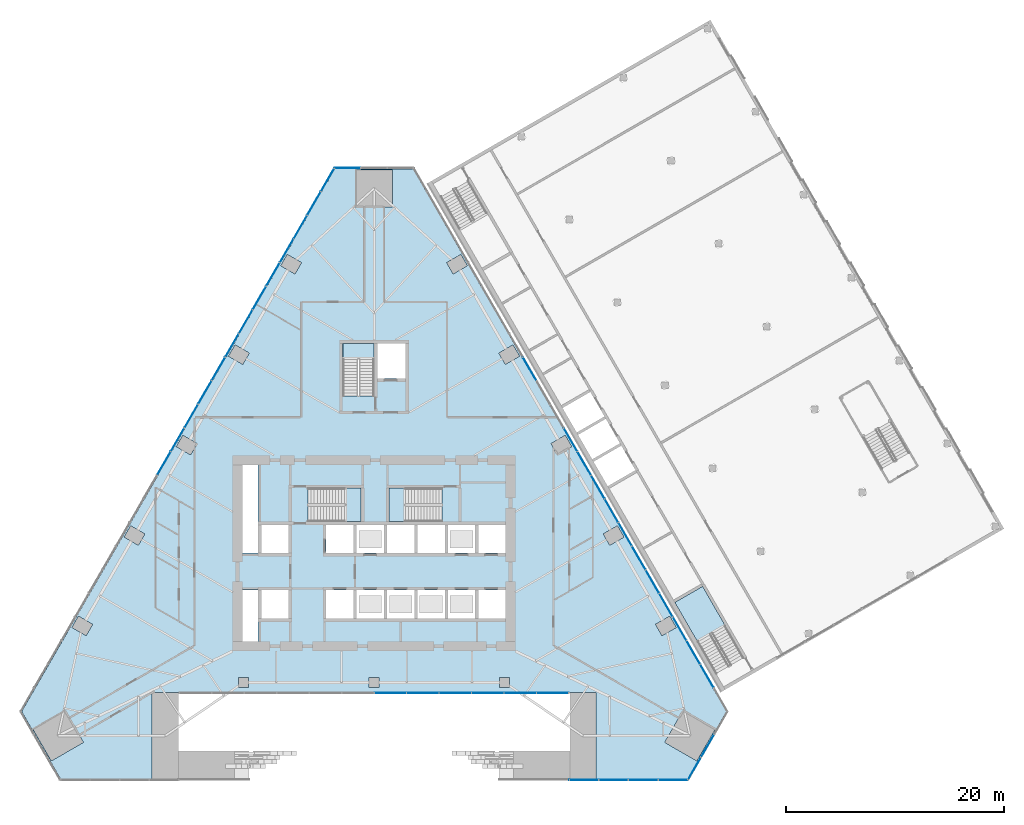
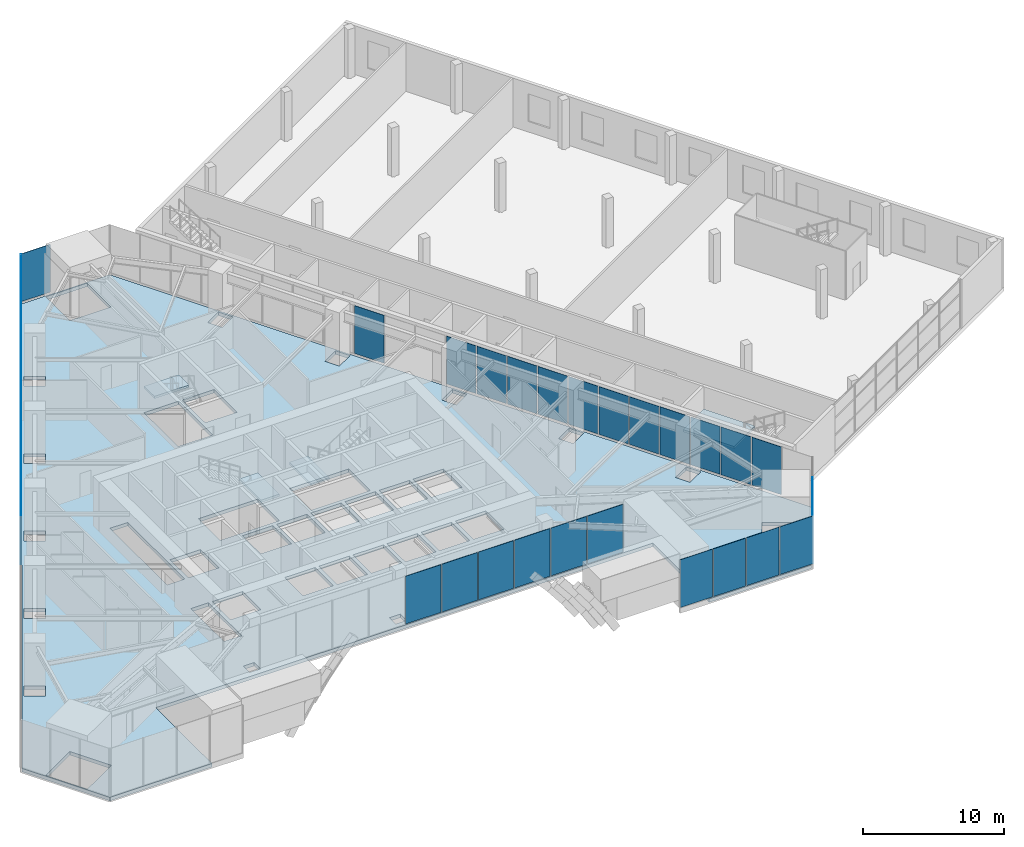
# One storey, part 15 of 29: 38 plates, 5 slabs, 10 elements without a shape of their own.
"""IFC4 building model written with IfcOpenShell, lengths in metres."""

import ifcopenshell
import ifcopenshell.guid

model = None  # the IFC model being written
_history = None  # IfcOwnerHistory: only IFC2X3 demands one
_inside = {}  # id of a spatial element -> (the spatial element, [elements in it])
_under = {}  # id of a project, library or spatial element -> (it, [spatial elements below it])
_declared = {}  # id of a project -> (the project, [libraries it declares])
_typed = {}  # id of a type object -> (the type object, [elements of that type])
_made_of = {}  # id of a material, layer set ... -> (it, [elements and type objects made of it])


def new_model(schema):
    """Start an empty IFC model of exactly this schema.

    Asked for "IFC4X3", IfcOpenShell would pick the latest addendum, in which some entities
    have other attributes; the version numbers below select the first issue.
    IFC2X3 requires an IfcOwnerHistory on every rooted entity: one is made here for all.
    """
    global model, _history
    if schema == "IFC4X3":
        model = ifcopenshell.file(schema_version=(4, 3, 0, 0))
    else:
        model = ifcopenshell.file(schema=schema)
    _inside.clear()
    _under.clear()
    _declared.clear()
    _typed.clear()
    _made_of.clear()
    _history = None
    if model.schema == "IFC2X3":
        org = make("IfcOrganization", Name="unknown")
        user = make(
            "IfcPersonAndOrganization",
            ThePerson=make("IfcPerson", FamilyName="unknown"),
            TheOrganization=org,
        )
        app = make(
            "IfcApplication",
            ApplicationDeveloper=org,
            Version="unknown",
            ApplicationFullName="unknown",
            ApplicationIdentifier="unknown",
        )
        _history = make(
            "IfcOwnerHistory",
            OwningUser=user,
            OwningApplication=app,
            ChangeAction="ADDED",
            CreationDate=0,
        )
    return model


def make(cls, **values):
    """One entity of the class cls with the attributes given. An attribute that is None is left unset."""
    return model.create_entity(
        cls, **{name: value for name, value in values.items() if value is not None}
    )


def rooted(cls, **values):
    """An entity with a GlobalId (a new one), such as an element, a storey or a relation."""
    return make(cls, GlobalId=ifcopenshell.guid.new(), OwnerHistory=_history, **values)


def si_unit(unit_type, name, prefix=None):
    """IfcSIUnit, for example si_unit("LENGTHUNIT", "METRE", prefix="MILLI")."""
    return make("IfcSIUnit", UnitType=unit_type, Prefix=prefix, Name=name)


def assignment(units):
    """IfcUnitAssignment: the units of a project."""
    return None if units is None else make("IfcUnitAssignment", Units=units)


def point(xyz):
    """IfcCartesianPoint."""
    return None if xyz is None else make("IfcCartesianPoint", Coordinates=xyz)


def direction(xyz):
    """IfcDirection."""
    return None if xyz is None else make("IfcDirection", DirectionRatios=xyz)


def frame(location, z_axis=None, x_axis=None):
    """IfcAxis2Placement3D, a coordinate frame: its origin and axes. An axis left out is left unset."""
    return make(
        "IfcAxis2Placement3D",
        Location=point(location),
        Axis=direction(z_axis),
        RefDirection=direction(x_axis),
    )


def origin():
    """The frame at (0, 0, 0) with its axes left unset."""
    return frame((0.0, 0.0, 0.0))


def place(relative_to, where):
    """IfcLocalPlacement: puts the frame where relative to a parent placement (None: the world)."""
    return make(
        "IfcLocalPlacement", PlacementRelTo=relative_to, RelativePlacement=where
    )


def context(
    kind, dimensions, precision=None, world=None, true_north=None, identifier=None
):
    """IfcGeometricRepresentationContext, for example the 3D "Model" context."""
    return make(
        "IfcGeometricRepresentationContext",
        ContextIdentifier=identifier,
        ContextType=kind,
        CoordinateSpaceDimension=dimensions,
        Precision=precision,
        WorldCoordinateSystem=world,
        TrueNorth=true_north,
    )


def subcontext(parent, identifier, kind, view, scale=None):
    """IfcGeometricRepresentationSubContext, for example "Body" below "Model"."""
    return make(
        "IfcGeometricRepresentationSubContext",
        ContextIdentifier=identifier,
        ContextType=kind,
        ParentContext=parent,
        TargetScale=scale,
        TargetView=view,
    )


def project(units=None, contexts=None):
    """IfcProject with its units and contexts."""
    return rooted(
        "IfcProject",
        Name="project",
        RepresentationContexts=contexts,
        UnitsInContext=assignment(units),
    )


def spatial(cls, under=None, at=None, **own):
    """A site, building, storey or space (cls), placed at a placement, below another one or the project."""
    s = rooted(cls, ObjectPlacement=at, **own)
    if under is not None:
        _under.setdefault(under.id(), (under, []))[1].append(s)
    return s


def polyline(points):
    """IfcPolyline through the points."""
    return make("IfcPolyline", Points=[point(p) for p in points])


def outline(outer, holes=None, kind="AREA"):
    """IfcArbitraryClosedProfileDef: a profile drawn as a closed curve; with holes, ...WithVoids."""
    if holes is None:
        return make("IfcArbitraryClosedProfileDef", ProfileType=kind, OuterCurve=outer)
    return make(
        "IfcArbitraryProfileDefWithVoids",
        ProfileType=kind,
        OuterCurve=outer,
        InnerCurves=holes,
    )


def extrude(swept, where, along, depth):
    """IfcExtrudedAreaSolid: the profile swept, set in the frame where, extruded along a direction by depth."""
    return make(
        "IfcExtrudedAreaSolid",
        SweptArea=swept,
        Position=where,
        ExtrudedDirection=direction(along),
        Depth=depth,
    )


def shape(context_of_items, identifier, shape_type, items):
    """IfcShapeRepresentation: the items that make up one representation, for example the "Body"."""
    return make(
        "IfcShapeRepresentation",
        ContextOfItems=context_of_items,
        RepresentationIdentifier=identifier,
        RepresentationType=shape_type,
        Items=items,
    )


def material(Name=None, Category=None):
    """IfcMaterial."""
    return make("IfcMaterial", Name=Name, Category=Category)


def layer(
    of_material, thickness, ventilated=None, Name=None, Category=None, Priority=None
):
    """IfcMaterialLayer: one layer of a wall or slab, of a material (None: an air gap)."""
    return make(
        "IfcMaterialLayer",
        Material=of_material,
        LayerThickness=thickness,
        IsVentilated=ventilated,
        Name=Name,
        Category=Category,
        Priority=Priority,
    )


def layer_set(layers, Name=None):
    """IfcMaterialLayerSet."""
    return make("IfcMaterialLayerSet", MaterialLayers=layers, LayerSetName=Name)


def made_of(thing, what):
    """Note that an element or type object is made of a material, layer set ...; save() writes the relation."""
    if what is not None:
        _made_of.setdefault(what.id(), (what, []))[1].append(thing)
    return thing


def type_object(cls, material=None, **own):
    """A type object (cls), such as IfcWallType, which elements share."""
    return made_of(rooted(cls, **own), material)


def element(
    cls,
    number,
    at=None,
    inside=None,
    cuts=None,
    type_object=None,
    material=None,
    context=None,
    identifier="Body",
    shape_type=None,
    held_by="IfcProductDefinitionShape",
    body=None,
    shapes=None,
    **own,
):
    """One element of the class cls, such as IfcWall. Its Tag is "e" and its number.

    at: its placement. inside: the storey or other place that contains it. cuts: it is an
    opening in that element (IfcRelVoidsElement). A single representation is given by context,
    identifier, shape_type and body (its items); several are given by shapes. held_by: the class
    of the entity that holds the representations. save() writes the other relations.
    """
    e = rooted(cls, Tag="e%d" % number, ObjectPlacement=at, **own)
    if body is not None:
        shapes = [shape(context, identifier, shape_type, body)]
    if shapes is not None:
        e.Representation = make(held_by, Representations=shapes)
    if inside is not None:
        _inside.setdefault(inside.id(), (inside, []))[1].append(e)
    if cuts is not None:
        rooted(
            "IfcRelVoidsElement", RelatingBuildingElement=cuts, RelatedOpeningElement=e
        )
    if type_object is not None:
        _typed.setdefault(type_object.id(), (type_object, []))[1].append(e)
    return made_of(e, material)


def aggregate(whole, parts):
    """IfcRelAggregates: a whole, such as a stair, and the parts it consists of."""
    return rooted("IfcRelAggregates", RelatingObject=whole, RelatedObjects=parts)


def save(model, path):
    """Write the relations noted so far, then the file.

    IfcRelAggregates (storeys below a building ...), IfcRelContainedInSpatialStructure (elements
    in a storey), IfcRelDefinesByType, IfcRelAssociatesMaterial and IfcRelDeclares: one each for
    every whole, place, type object, material and project.
    """
    for whole, parts in _under.values():
        aggregate(whole, parts)
    for where, things in _inside.values():
        rooted(
            "IfcRelContainedInSpatialStructure",
            RelatedElements=things,
            RelatingStructure=where,
        )
    for kind, things in _typed.values():
        rooted("IfcRelDefinesByType", RelatedObjects=things, RelatingType=kind)
    for what, things in _made_of.values():
        rooted("IfcRelAssociatesMaterial", RelatedObjects=things, RelatingMaterial=what)
    for by, libraries in _declared.values():
        rooted("IfcRelDeclares", RelatingContext=by, RelatedDefinitions=libraries)
    model.write(path)


model = new_model("IFC4")

# Units and contexts
model_context = context("Model", 3, precision=1e-05, world=origin(), true_north=direction((0.0, 1.0)))
body_context = subcontext(model_context, "Body", "Model", "MODEL_VIEW")
ifc_project = project(units=[si_unit("LENGTHUNIT", "METRE"), si_unit("AREAUNIT", "SQUARE_METRE"), si_unit("VOLUMEUNIT", "CUBIC_METRE"), si_unit("PLANEANGLEUNIT", "RADIAN"), si_unit("MASSUNIT", "GRAM", prefix="KILO")], contexts=[model_context])

# Site, building, storey
site_placement = place(None, origin())
site = spatial("IfcSite", under=ifc_project, at=site_placement, CompositionType="ELEMENT")
building_placement = place(site_placement, origin())
building = spatial("IfcBuilding", under=site, at=building_placement, Name="Firuza Gate Tower and Library", CompositionType="ELEMENT")
storey_placement = place(building_placement, frame((0.0, 0.0, 17.199951171875)))
storey = spatial("IfcBuildingStorey", under=building, at=storey_placement, Name="L03", CompositionType="ELEMENT", Elevation=17.199951171875)

# Curtain wall, plates
ifc_material_1 = material(Name="Aluminium 6063-T6", Category="aluminium")
ifc_layer_1 = layer(ifc_material_1, 0.14990234375)
ifc_layer_set_1 = layer_set([ifc_layer_1], Name="Stick curtain wall, gate lobby")
curtain_wall_type_1 = type_object("IfcCurtainWallType", Name="Stick curtain wall, gate lobby", PredefinedType="NOTDEFINED", material=ifc_layer_set_1)
placement_1 = place(storey_placement, origin())
curtain_wall_1 = element("IfcCurtainWall", 1, at=placement_1, inside=storey, type_object=curtain_wall_type_1, Name="CW7 L03 gate lobby", PredefinedType="NOTDEFINED")
ifc_material_2 = material(Name="Fritted glass", Category="glass")
ifc_layer_2 = layer(ifc_material_2, 0.030029296875)
ifc_layer_set_2 = layer_set([ifc_layer_2], Name="Clear glass unit, podium")
plate_type = type_object("IfcPlateType", Name="Clear glass unit, podium", PredefinedType="CURTAIN_PANEL", material=ifc_layer_set_2)
plate_1_placement = place(storey_placement, frame((75.0400390625, 62.12548828125, 0.150146484375), z_axis=(0.0, -1.0, 0.0), x_axis=(1.0, 0.0, 0.0)))
plate_1 = element("IfcPlate", 2, at=plate_1_placement, type_object=plate_type, Name="Glass unit", PredefinedType="CURTAIN_PANEL", context=body_context, shape_type="SweptSolid", body=[
    extrude(outline(polyline([(0.0, 0.0), (2.907470703125, 0.0), (2.907470703125, 4.14990234375), (0.0, 4.14990234375), (0.0, 0.0)])), origin(), (0.0, 0.0, -1.0), 0.030029296875),
])
plate_2_placement = place(storey_placement, frame((78.027587890625, 62.12548828125, 0.150146484375), z_axis=(0.0, -1.0, 0.0), x_axis=(1.0, 0.0, 0.0)))
plate_2 = element("IfcPlate", 3, at=plate_2_placement, type_object=plate_type, Name="Glass unit", PredefinedType="CURTAIN_PANEL", context=body_context, shape_type="SweptSolid", body=[
    extrude(outline(polyline([(0.0, 0.0), (2.907470703125, 0.0), (2.907470703125, 4.14990234375), (0.0, 4.14990234375), (0.0, 0.0)])), origin(), (0.0, 0.0, -1.0), 0.030029296875),
])
plate_3_placement = place(storey_placement, frame((81.014892578125, 62.12548828125, 0.150146484375), z_axis=(0.0, -1.0, 0.0), x_axis=(1.0, 0.0, 0.0)))
plate_3 = element("IfcPlate", 4, at=plate_3_placement, type_object=plate_type, Name="Glass unit", PredefinedType="CURTAIN_PANEL", context=body_context, shape_type="SweptSolid", body=[
    extrude(outline(polyline([(0.0, 0.0), (2.90771484375, 0.0), (2.90771484375, 4.14990234375), (0.0, 4.14990234375), (0.0, 0.0)])), origin(), (0.0, 0.0, -1.0), 0.030029296875),
])
plate_4_placement = place(storey_placement, frame((84.00244140625, 62.12548828125, 0.150146484375), z_axis=(0.0, -1.0, 0.0), x_axis=(1.0, 0.0, 0.0)))
plate_4 = element("IfcPlate", 5, at=plate_4_placement, type_object=plate_type, Name="Glass unit", PredefinedType="CURTAIN_PANEL", context=body_context, shape_type="SweptSolid", body=[
    extrude(outline(polyline([(0.0, 0.0), (2.907470703125, 0.0), (2.907470703125, 4.14990234375), (0.0, 4.14990234375), (0.0, 0.0)])), origin(), (0.0, 0.0, -1.0), 0.030029296875),
])
plate_5_placement = place(storey_placement, frame((86.989990234375, 62.12548828125, 0.150146484375), z_axis=(0.0, -1.0, 0.0), x_axis=(1.0, 0.0, 0.0)))
plate_5 = element("IfcPlate", 6, at=plate_5_placement, type_object=plate_type, Name="Glass unit", PredefinedType="CURTAIN_PANEL", context=body_context, shape_type="SweptSolid", body=[
    extrude(outline(polyline([(0.0, 0.0), (2.907470703125, 0.0), (2.907470703125, 4.14990234375), (0.0, 4.14990234375), (0.0, 0.0)])), origin(), (0.0, 0.0, -1.0), 0.030029296875),
])
plate_6_placement = place(storey_placement, frame((89.9775390625, 62.12548828125, 0.150146484375), z_axis=(0.0, -1.0, 0.0), x_axis=(1.0, 0.0, 0.0)))
plate_6 = element("IfcPlate", 7, at=plate_6_placement, type_object=plate_type, Name="Glass unit", PredefinedType="CURTAIN_PANEL", context=body_context, shape_type="SweptSolid", body=[
    extrude(outline(polyline([(0.0, 0.0), (2.907470703125, 0.0), (2.907470703125, 4.14990234375), (0.0, 4.14990234375), (0.0, 0.0)])), origin(), (0.0, 0.0, -1.0), 0.030029296875),
])
aggregate(curtain_wall_1, [plate_1, plate_2, plate_3, plate_4, plate_5, plate_6])

ifc_material_3 = material(Name="Aluminium 6063-T6", Category="aluminium")
ifc_layer_3 = layer(ifc_material_3, 0.14990234375)
ifc_layer_set_3 = layer_set([ifc_layer_3], Name="Stick curtain wall, podium")
curtain_wall_type_2 = type_object("IfcCurtainWallType", Name="Stick curtain wall, podium", PredefinedType="NOTDEFINED", material=ifc_layer_set_3)
curtain_wall_2 = element("IfcCurtainWall", 8, at=placement_1, inside=storey, type_object=curtain_wall_type_2, Name="CW5 L03 S", PredefinedType="NOTDEFINED")
plate_7_placement = place(storey_placement, frame((92.965087890625, 54.12548828125, 0.150146484375), z_axis=(0.0, -1.0, 0.0), x_axis=(1.0, 0.0, 0.0)))
plate_7 = element("IfcPlate", 9, at=plate_7_placement, type_object=plate_type, Name="Glass unit", PredefinedType="CURTAIN_PANEL", context=body_context, shape_type="SweptSolid", body=[
    extrude(outline(polyline([(0.0, 0.0), (2.6494140625, 0.0), (2.6494140625, 4.14990234375), (0.0, 4.14990234375), (0.0, 0.0)])), origin(), (0.0, 0.0, -1.0), 0.030029296875),
])
plate_8_placement = place(storey_placement, frame((95.694580078125, 54.12548828125, 0.150146484375), z_axis=(0.0, -1.0, 0.0), x_axis=(1.0, 0.0, 0.0)))
plate_8 = element("IfcPlate", 10, at=plate_8_placement, type_object=plate_type, Name="Glass unit", PredefinedType="CURTAIN_PANEL", context=body_context, shape_type="SweptSolid", body=[
    extrude(outline(polyline([(0.0, 0.0), (2.649658203125, 0.0), (2.649658203125, 4.14990234375), (0.0, 4.14990234375), (0.0, 0.0)])), origin(), (0.0, 0.0, -1.0), 0.030029296875),
])
plate_9_placement = place(storey_placement, frame((98.424072265625, 54.12548828125, 0.150146484375), z_axis=(0.0, -1.0, 0.0), x_axis=(1.0, 0.0, 0.0)))
plate_9 = element("IfcPlate", 11, at=plate_9_placement, type_object=plate_type, Name="Glass unit", PredefinedType="CURTAIN_PANEL", context=body_context, shape_type="SweptSolid", body=[
    extrude(outline(polyline([(0.0, 0.0), (2.649658203125, 0.0), (2.649658203125, 4.14990234375), (0.0, 4.14990234375), (0.0, 0.0)])), origin(), (0.0, 0.0, -1.0), 0.030029296875),
])
plate_10_placement = place(storey_placement, frame((101.15380859375, 54.12548828125, 0.150146484375), z_axis=(0.0, -1.0, 0.0), x_axis=(1.0, 0.0, 0.0)))
plate_10 = element("IfcPlate", 12, at=plate_10_placement, type_object=plate_type, Name="Glass unit", PredefinedType="CURTAIN_PANEL", context=body_context, shape_type="SweptSolid", body=[
    extrude(outline(polyline([(0.0, 0.0), (2.6494140625, 0.0), (2.6494140625, 4.14990234375), (0.0, 4.14990234375), (0.0, 0.0)])), origin(), (0.0, 0.0, -1.0), 0.030029296875),
])
aggregate(curtain_wall_2, [plate_7, plate_8, plate_9, plate_10])

curtain_wall_3 = element("IfcCurtainWall", 13, at=placement_1, inside=storey, type_object=curtain_wall_type_2, Name="CW5 L03 SE", PredefinedType="NOTDEFINED")
plate_11_placement = place(storey_placement, frame((103.876220703125, 54.16748046875, 0.150146484375), z_axis=(0.866002109674, -0.500040344412, 0.0), x_axis=(0.500040344412, 0.866002109674, 0.0)))
plate_11 = element("IfcPlate", 14, at=plate_11_placement, type_object=plate_type, Name="Glass unit", PredefinedType="CURTAIN_PANEL", context=body_context, shape_type="SweptSolid", body=[
    extrude(outline(polyline([(0.0, 0.0), (2.348931561223719, 0.0), (2.348931561223719, 4.14990234375), (0.0, 4.14990234375), (0.0, 0.0)])), origin(), (0.0, 0.0, -1.0), 0.030029296875),
])
plate_12_placement = place(storey_placement, frame((105.0908203125, 56.27099609375, 0.150146484375), z_axis=(0.866047116916, -0.499962389866, 0.0), x_axis=(0.499962389866, 0.866047116916, 0.0)))
plate_12 = element("IfcPlate", 15, at=plate_12_placement, type_object=plate_type, Name="Glass unit", PredefinedType="CURTAIN_PANEL", context=body_context, shape_type="SweptSolid", body=[
    extrude(outline(polyline([(0.0, 0.0), (2.3488094905771977, 0.0), (2.3488094905771977, 4.149902343750001), (0.0, 4.149902343750001), (0.0, 0.0)])), origin(), (0.0, 0.0, -1.0), 0.030029296875),
])
aggregate(curtain_wall_3, [plate_11, plate_12])

curtain_wall_4 = element("IfcCurtainWall", 16, at=placement_1, inside=storey, type_object=curtain_wall_type_2, Name="CW5 L03 E", PredefinedType="NOTDEFINED")
plate_13_placement = place(storey_placement, frame((106.2255859375, 62.6650390625, 0.150146484375), z_axis=(0.866013120021, 0.500021275498, 0.0), x_axis=(-0.500021275498, 0.866013120021, 0.0)))
plate_13 = element("IfcPlate", 17, at=plate_13_placement, type_object=plate_type, Name="Glass unit", PredefinedType="CURTAIN_PANEL", context=body_context, shape_type="SweptSolid", body=[
    extrude(outline(polyline([(0.0, 0.0), (2.428119337352694, 0.0), (2.428119337352694, 4.149902343749999), (0.0, 4.149902343749999), (0.0, 0.0)])), origin(), (0.0, 0.0, -1.0), 0.030029296875),
])
plate_14_placement = place(storey_placement, frame((104.971435546875, 64.837158203125, 0.150146484375), z_axis=(0.866013120021, 0.500021275498, 0.0), x_axis=(-0.500021275498, 0.866013120021, 0.0)))
plate_14 = element("IfcPlate", 18, at=plate_14_placement, type_object=plate_type, Name="Glass unit", PredefinedType="CURTAIN_PANEL", context=body_context, shape_type="SweptSolid", body=[
    extrude(outline(polyline([(0.0, 0.0), (2.428119337352694, 0.0), (2.428119337352694, 4.149902343749999), (0.0, 4.149902343749999), (0.0, 0.0)])), origin(), (0.0, 0.0, -1.0), 0.030029296875),
])
plate_15_placement = place(storey_placement, frame((103.717529296875, 67.00927734375, 0.150146484375), z_axis=(0.866013120021, 0.500021275498, 0.0), x_axis=(-0.500021275498, 0.866013120021, 0.0)))
plate_15 = element("IfcPlate", 19, at=plate_15_placement, type_object=plate_type, Name="Glass unit", PredefinedType="CURTAIN_PANEL", context=body_context, shape_type="SweptSolid", body=[
    extrude(outline(polyline([(0.0, 0.0), (2.428119337352694, 0.0), (2.428119337352694, 4.149902343749999), (0.0, 4.149902343749999), (0.0, 0.0)])), origin(), (0.0, 0.0, -1.0), 0.030029296875),
])
plate_16_placement = place(storey_placement, frame((102.46337890625, 69.18115234375, 0.150146484375), z_axis=(0.86603825568, 0.499977739203, 0.0), x_axis=(-0.499977739203, 0.86603825568, 0.0)))
plate_16 = element("IfcPlate", 20, at=plate_16_placement, type_object=plate_type, Name="Glass unit", PredefinedType="CURTAIN_PANEL", context=body_context, shape_type="SweptSolid", body=[
    extrude(outline(polyline([(0.0, 0.0), (2.428330769405526, 0.0), (2.428330769405526, 4.14990234375), (0.0, 4.14990234375), (0.0, 0.0)])), origin(), (0.0, 0.0, -1.0), 0.030029296875),
])
plate_17_placement = place(storey_placement, frame((101.209228515625, 71.353271484375, 0.150146484375), z_axis=(0.866056658381, 0.499945861543, 0.0), x_axis=(-0.499945861543, 0.866056658381, 0.0)))
plate_17 = element("IfcPlate", 21, at=plate_17_placement, type_object=plate_type, Name="Glass unit", PredefinedType="CURTAIN_PANEL", context=body_context, shape_type="SweptSolid", body=[
    extrude(outline(polyline([(0.0, 0.0), (2.4279972710515545, 0.0), (2.4279972710515545, 4.14990234375), (0.0, 4.14990234375), (0.0, 0.0)])), origin(), (0.0, 0.0, -1.0), 0.030029296875),
])
plate_18_placement = place(storey_placement, frame((99.955322265625, 73.525390625, 0.150146484375), z_axis=(0.866013120021, 0.500021275498, 0.0), x_axis=(-0.500021275498, 0.866013120021, 0.0)))
plate_18 = element("IfcPlate", 22, at=plate_18_placement, type_object=plate_type, Name="Glass unit", PredefinedType="CURTAIN_PANEL", context=body_context, shape_type="SweptSolid", body=[
    extrude(outline(polyline([(0.0, 0.0), (2.428119337352694, 0.0), (2.428119337352694, 4.149902343749999), (0.0, 4.149902343749999), (0.0, 0.0)])), origin(), (0.0, 0.0, -1.0), 0.030029296875),
])
plate_19_placement = place(storey_placement, frame((98.701171875, 75.697509765625, 0.150146484375), z_axis=(0.866013120021, 0.500021275498, 0.0), x_axis=(-0.500021275498, 0.866013120021, 0.0)))
plate_19 = element("IfcPlate", 23, at=plate_19_placement, type_object=plate_type, Name="Glass unit", PredefinedType="CURTAIN_PANEL", context=body_context, shape_type="SweptSolid", body=[
    extrude(outline(polyline([(0.0, 0.0), (2.428119337352694, 0.0), (2.428119337352694, 4.149902343749999), (0.0, 4.149902343749999), (0.0, 0.0)])), origin(), (0.0, 0.0, -1.0), 0.030029296875),
])
plate_20_placement = place(storey_placement, frame((97.447021484375, 77.86962890625, 0.150146484375), z_axis=(0.866056658381, 0.499945861543, 0.0), x_axis=(-0.499945861543, 0.866056658381, 0.0)))
plate_20 = element("IfcPlate", 24, at=plate_20_placement, type_object=plate_type, Name="Glass unit", PredefinedType="CURTAIN_PANEL", context=body_context, shape_type="SweptSolid", body=[
    extrude(outline(polyline([(0.0, 0.0), (2.4279972710515545, 0.0), (2.4279972710515545, 4.14990234375), (0.0, 4.14990234375), (0.0, 0.0)])), origin(), (0.0, 0.0, -1.0), 0.030029296875),
])
plate_21_placement = place(storey_placement, frame((96.193115234375, 80.041748046875, 0.150146484375), z_axis=(0.866013120021, 0.500021275498, 0.0), x_axis=(-0.500021275498, 0.866013120021, 0.0)))
plate_21 = element("IfcPlate", 25, at=plate_21_placement, type_object=plate_type, Name="Glass unit", PredefinedType="CURTAIN_PANEL", context=body_context, shape_type="SweptSolid", body=[
    extrude(outline(polyline([(0.0, 0.0), (2.428119337352694, 0.0), (2.428119337352694, 4.149902343749999), (0.0, 4.149902343749999), (0.0, 0.0)])), origin(), (0.0, 0.0, -1.0), 0.030029296875),
])
plate_22_placement = place(storey_placement, frame((94.93896484375, 82.2138671875, 0.150146484375), z_axis=(0.866013120021, 0.500021275498, 0.0), x_axis=(-0.500021275498, 0.866013120021, 0.0)))
plate_22 = element("IfcPlate", 26, at=plate_22_placement, type_object=plate_type, Name="Glass unit", PredefinedType="CURTAIN_PANEL", context=body_context, shape_type="SweptSolid", body=[
    extrude(outline(polyline([(0.0, 0.0), (2.428119337352694, 0.0), (2.428119337352694, 4.149902343749999), (0.0, 4.149902343749999), (0.0, 0.0)])), origin(), (0.0, 0.0, -1.0), 0.030029296875),
])
plate_23_placement = place(storey_placement, frame((93.68505859375, 84.385986328125, 0.150146484375), z_axis=(0.866013120021, 0.500021275498, 0.0), x_axis=(-0.500021275498, 0.866013120021, 0.0)))
plate_23 = element("IfcPlate", 27, at=plate_23_placement, type_object=plate_type, Name="Glass unit", PredefinedType="CURTAIN_PANEL", context=body_context, shape_type="SweptSolid", body=[
    extrude(outline(polyline([(0.0, 0.0), (2.428119337352694, 0.0), (2.428119337352694, 4.149902343749999), (0.0, 4.149902343749999), (0.0, 0.0)])), origin(), (0.0, 0.0, -1.0), 0.030029296875),
])
plate_24_placement = place(storey_placement, frame((89.9228515625, 90.902099609375, 0.150146484375), z_axis=(0.866013120021, 0.500021275498, 0.0), x_axis=(-0.500021275498, 0.866013120021, 0.0)))
plate_24 = element("IfcPlate", 28, at=plate_24_placement, type_object=plate_type, Name="Glass unit", PredefinedType="CURTAIN_PANEL", context=body_context, shape_type="SweptSolid", body=[
    extrude(outline(polyline([(0.0, 0.0), (2.428119337352694, 0.0), (2.428119337352694, 4.149902343749999), (0.0, 4.149902343749999), (0.0, 0.0)])), origin(), (0.0, 0.0, -1.0), 0.030029296875),
])
aggregate(curtain_wall_4, [plate_13, plate_14, plate_15, plate_16, plate_17, plate_18, plate_19, plate_20, plate_21, plate_22, plate_23, plate_24])

# Curtain wall, plate
curtain_wall_5 = element("IfcCurtainWall", 29, at=placement_1, inside=storey, type_object=curtain_wall_type_2, Name="CW5 L03 N", PredefinedType="NOTDEFINED")
plate_25_placement = place(storey_placement, frame((73.74560546875, 110.423828125, 0.150146484375), z_axis=(0.0, 1.0, 0.0), x_axis=(-1.0, 0.0, 0.0)))
plate_25 = element("IfcPlate", 30, at=plate_25_placement, type_object=plate_type, Name="Glass unit", PredefinedType="CURTAIN_PANEL", context=body_context, shape_type="SweptSolid", body=[
    extrude(outline(polyline([(0.0, 0.0), (2.348876953125, 0.0), (2.348876953125, 4.14990234375), (0.0, 4.14990234375), (0.0, 0.0)])), origin(), (0.0, 0.0, -1.0), 0.030029296875),
])
aggregate(curtain_wall_5, [plate_25])

# Curtain wall, plates
curtain_wall_6 = element("IfcCurtainWall", 31, at=placement_1, inside=storey, type_object=curtain_wall_type_2, Name="CW5 L03 W", PredefinedType="NOTDEFINED")
plate_26_placement = place(storey_placement, frame((71.32373046875, 110.381591796875, 0.150146484375), z_axis=(-0.866013120021, 0.500021275498, 0.0), x_axis=(-0.500021275498, -0.866013120021, 0.0)))
plate_26 = element("IfcPlate", 32, at=plate_26_placement, type_object=plate_type, Name="Glass unit", PredefinedType="CURTAIN_PANEL", context=body_context, shape_type="SweptSolid", body=[
    extrude(outline(polyline([(0.0, 0.0), (2.428119337352694, 0.0), (2.428119337352694, 4.149902343749999), (0.0, 4.149902343749999), (0.0, 0.0)])), origin(), (0.0, 0.0, -1.0), 0.030029296875),
])
plate_27_placement = place(storey_placement, frame((70.069580078125, 108.209716796875, 0.150146484375), z_axis=(-0.866081787721, 0.499902327438, 0.0), x_axis=(-0.499902327438, -0.866081787721, 0.0)))
plate_27 = element("IfcPlate", 33, at=plate_27_placement, type_object=plate_type, Name="Glass unit", PredefinedType="CURTAIN_PANEL", context=body_context, shape_type="SweptSolid", body=[
    extrude(outline(polyline([(0.0, 0.0), (2.428208713733097, 0.0), (2.428208713733097, 4.14990234375), (0.0, 4.14990234375), (0.0, 0.0)])), origin(), (0.0, 0.0, -1.0), 0.030029296875),
])
plate_28_placement = place(storey_placement, frame((68.815673828125, 106.03759765625, 0.150146484375), z_axis=(-0.866013120021, 0.500021275498, 0.0), x_axis=(-0.500021275498, -0.866013120021, 0.0)))
plate_28 = element("IfcPlate", 34, at=plate_28_placement, type_object=plate_type, Name="Glass unit", PredefinedType="CURTAIN_PANEL", context=body_context, shape_type="SweptSolid", body=[
    extrude(outline(polyline([(0.0, 0.0), (2.428119337352694, 0.0), (2.428119337352694, 4.149902343749999), (0.0, 4.149902343749999), (0.0, 0.0)])), origin(), (0.0, 0.0, -1.0), 0.030029296875),
])
plate_29_placement = place(storey_placement, frame((67.5615234375, 103.865478515625, 0.150146484375), z_axis=(-0.866013120021, 0.500021275498, 0.0), x_axis=(-0.500021275498, -0.866013120021, 0.0)))
plate_29 = element("IfcPlate", 35, at=plate_29_placement, type_object=plate_type, Name="Glass unit", PredefinedType="CURTAIN_PANEL", context=body_context, shape_type="SweptSolid", body=[
    extrude(outline(polyline([(0.0, 0.0), (2.428119337352694, 0.0), (2.428119337352694, 4.149902343749999), (0.0, 4.149902343749999), (0.0, 0.0)])), origin(), (0.0, 0.0, -1.0), 0.030029296875),
])
plate_30_placement = place(storey_placement, frame((66.307373046875, 101.693359375, 0.150146484375), z_axis=(-0.866056658381, 0.499945861543, 0.0), x_axis=(-0.499945861543, -0.866056658381, 0.0)))
plate_30 = element("IfcPlate", 36, at=plate_30_placement, type_object=plate_type, Name="Glass unit", PredefinedType="CURTAIN_PANEL", context=body_context, shape_type="SweptSolid", body=[
    extrude(outline(polyline([(0.0, 0.0), (2.4279972710515545, 0.0), (2.4279972710515545, 4.14990234375), (0.0, 4.14990234375), (0.0, 0.0)])), origin(), (0.0, 0.0, -1.0), 0.030029296875),
])
plate_31_placement = place(storey_placement, frame((65.053466796875, 99.521240234375, 0.150146484375), z_axis=(-0.866013120021, 0.500021275498, 0.0), x_axis=(-0.500021275498, -0.866013120021, 0.0)))
plate_31 = element("IfcPlate", 37, at=plate_31_placement, type_object=plate_type, Name="Glass unit", PredefinedType="CURTAIN_PANEL", context=body_context, shape_type="SweptSolid", body=[
    extrude(outline(polyline([(0.0, 0.0), (2.428119337352694, 0.0), (2.428119337352694, 4.149902343749999), (0.0, 4.149902343749999), (0.0, 0.0)])), origin(), (0.0, 0.0, -1.0), 0.030029296875),
])
plate_32_placement = place(storey_placement, frame((63.79931640625, 97.34912109375, 0.150146484375), z_axis=(-0.866013120021, 0.500021275498, 0.0), x_axis=(-0.500021275498, -0.866013120021, 0.0)))
plate_32 = element("IfcPlate", 38, at=plate_32_placement, type_object=plate_type, Name="Glass unit", PredefinedType="CURTAIN_PANEL", context=body_context, shape_type="SweptSolid", body=[
    extrude(outline(polyline([(0.0, 0.0), (2.428119337352694, 0.0), (2.428119337352694, 4.149902343749999), (0.0, 4.149902343749999), (0.0, 0.0)])), origin(), (0.0, 0.0, -1.0), 0.030029296875),
])
plate_33_placement = place(storey_placement, frame((62.54541015625, 95.177001953125, 0.150146484375), z_axis=(-0.866013120021, 0.500021275498, 0.0), x_axis=(-0.500021275498, -0.866013120021, 0.0)))
plate_33 = element("IfcPlate", 39, at=plate_33_placement, type_object=plate_type, Name="Glass unit", PredefinedType="CURTAIN_PANEL", context=body_context, shape_type="SweptSolid", body=[
    extrude(outline(polyline([(0.0, 0.0), (2.428119337352694, 0.0), (2.428119337352694, 4.149902343749999), (0.0, 4.149902343749999), (0.0, 0.0)])), origin(), (0.0, 0.0, -1.0), 0.030029296875),
])
plate_34_placement = place(storey_placement, frame((61.291259765625, 93.0048828125, 0.150146484375), z_axis=(-0.866013120021, 0.500021275498, 0.0), x_axis=(-0.500021275498, -0.866013120021, 0.0)))
plate_34 = element("IfcPlate", 40, at=plate_34_placement, type_object=plate_type, Name="Glass unit", PredefinedType="CURTAIN_PANEL", context=body_context, shape_type="SweptSolid", body=[
    extrude(outline(polyline([(0.0, 0.0), (2.428119337352694, 0.0), (2.428119337352694, 4.149902343749999), (0.0, 4.149902343749999), (0.0, 0.0)])), origin(), (0.0, 0.0, -1.0), 0.030029296875),
])
plate_35_placement = place(storey_placement, frame((60.037109375, 90.8330078125, 0.150146484375), z_axis=(-0.866081787721, 0.499902327438, 0.0), x_axis=(-0.499902327438, -0.866081787721, 0.0)))
plate_35 = element("IfcPlate", 41, at=plate_35_placement, type_object=plate_type, Name="Glass unit", PredefinedType="CURTAIN_PANEL", context=body_context, shape_type="SweptSolid", body=[
    extrude(outline(polyline([(0.0, 0.0), (2.428208713733097, 0.0), (2.428208713733097, 4.14990234375), (0.0, 4.14990234375), (0.0, 0.0)])), origin(), (0.0, 0.0, -1.0), 0.030029296875),
])
plate_36_placement = place(storey_placement, frame((58.783203125, 88.660888671875, 0.150146484375), z_axis=(-0.866013120021, 0.500021275498, 0.0), x_axis=(-0.500021275498, -0.866013120021, 0.0)))
plate_36 = element("IfcPlate", 42, at=plate_36_placement, type_object=plate_type, Name="Glass unit", PredefinedType="CURTAIN_PANEL", context=body_context, shape_type="SweptSolid", body=[
    extrude(outline(polyline([(0.0, 0.0), (2.428119337352694, 0.0), (2.428119337352694, 4.149902343749999), (0.0, 4.149902343749999), (0.0, 0.0)])), origin(), (0.0, 0.0, -1.0), 0.030029296875),
])
plate_37_placement = place(storey_placement, frame((57.529052734375, 86.48876953125, 0.150146484375), z_axis=(-0.866013120021, 0.500021275498, 0.0), x_axis=(-0.500021275498, -0.866013120021, 0.0)))
plate_37 = element("IfcPlate", 43, at=plate_37_placement, type_object=plate_type, Name="Glass unit", PredefinedType="CURTAIN_PANEL", context=body_context, shape_type="SweptSolid", body=[
    extrude(outline(polyline([(0.0, 0.0), (2.428119337352694, 0.0), (2.428119337352694, 4.149902343749999), (0.0, 4.149902343749999), (0.0, 0.0)])), origin(), (0.0, 0.0, -1.0), 0.030029296875),
])
plate_38_placement = place(storey_placement, frame((56.275146484375, 84.316650390625, 0.150146484375), z_axis=(-0.866013120021, 0.500021275498, 0.0), x_axis=(-0.500021275498, -0.866013120021, 0.0)))
plate_38 = element("IfcPlate", 44, at=plate_38_placement, type_object=plate_type, Name="Glass unit", PredefinedType="CURTAIN_PANEL", context=body_context, shape_type="SweptSolid", body=[
    extrude(outline(polyline([(0.0, 0.0), (2.428119337352694, 0.0), (2.428119337352694, 4.149902343749999), (0.0, 4.149902343749999), (0.0, 0.0)])), origin(), (0.0, 0.0, -1.0), 0.030029296875),
])
aggregate(curtain_wall_6, [plate_26, plate_27, plate_28, plate_29, plate_30, plate_31, plate_32, plate_33, plate_34, plate_35, plate_36, plate_37, plate_38])

# Slab
ifc_material_4 = material(Name="Concrete C40/50", Category="concrete")
ifc_layer_4 = layer(ifc_material_4, 0.300048828125)
ifc_layer_set_4 = layer_set([ifc_layer_4], Name="Composite floor slab 300 C40/50")
slab_type_1 = type_object("IfcSlabType", Name="Composite floor slab 300 C40/50", PredefinedType="FLOOR", material=ifc_layer_set_4)
slab_1_placement = place(storey_placement, frame((0.0, 0.0, -0.300048828125)))
element("IfcSlab", 45, at=slab_1_placement, inside=storey, type_object=slab_type_1, Name="Floor slab L03", PredefinedType="FLOOR", context=body_context, shape_type="SweptSolid", body=[
    extrude(outline(polyline([(46.199951171875, 54.21533203125), (54.60009765625, 54.21533203125), (54.60009765625, 62.21533203125), (57.0, 62.21533203125), (93.0, 62.21533203125), (95.39990234375, 62.21533203125), (95.39990234375, 54.21533203125), (103.800048828125, 54.21533203125), (107.39990234375, 60.45068359375), (78.60009765625, 110.333740234375), (71.39990234375, 110.333740234375), (42.60009765625, 60.45068359375), (46.199951171875, 54.21533203125)]), holes=[polyline([(43.63671875, 58.855224609375), (46.5810546875, 60.555419921875), (48.281005859375, 57.61083984375), (45.336669921875, 55.910888671875), (43.63671875, 58.855224609375)]), polyline([(74.550048828125, 62.665283203125), (74.550048828125, 63.5654296875), (75.449951171875, 63.5654296875), (75.449951171875, 62.665283203125), (74.550048828125, 62.665283203125)]), polyline([(62.550048828125, 62.665283203125), (62.550048828125, 63.5654296875), (63.449951171875, 63.5654296875), (63.449951171875, 62.665283203125), (62.550048828125, 62.665283203125)]), polyline([(47.829833984375, 69.209228515625), (49.12890625, 68.459228515625), (48.529052734375, 67.419921875), (47.22998046875, 68.169921875), (47.829833984375, 69.209228515625)]), polyline([(64.35009765625, 66.89990234375), (62.89990234375, 66.89990234375), (62.89990234375, 71.60009765625), (64.35009765625, 71.60009765625), (64.35009765625, 66.89990234375)]), polyline([(67.14990234375, 69.0), (64.64990234375, 69.0), (64.64990234375, 71.60009765625), (67.14990234375, 71.60009765625), (67.14990234375, 69.0)]), polyline([(70.60009765625, 69.0), (70.60009765625, 71.60009765625), (73.10009765625, 71.60009765625), (73.10009765625, 69.0), (70.60009765625, 69.0)]), polyline([(73.39990234375, 69.0), (73.39990234375, 71.60009765625), (75.89990234375, 71.60009765625), (75.89990234375, 69.0), (73.39990234375, 69.0)]), polyline([(67.14990234375, 75.0), (64.64990234375, 75.0), (64.64990234375, 77.60009765625), (67.14990234375, 77.60009765625), (67.14990234375, 75.0)]), polyline([(73.10009765625, 75.0), (70.60009765625, 75.0), (70.60009765625, 77.60009765625), (73.10009765625, 77.60009765625), (73.10009765625, 75.0)]), polyline([(75.89990234375, 75.0), (73.39990234375, 75.0), (73.39990234375, 77.60009765625), (75.89990234375, 77.60009765625), (75.89990234375, 75.0)]), polyline([(53.928955078125, 76.773193359375), (53.328857421875, 75.73388671875), (52.02978515625, 76.48388671875), (52.6298828125, 77.523193359375), (53.928955078125, 76.773193359375)]), polyline([(62.89990234375, 75.0), (62.89990234375, 83.10009765625), (64.35009765625, 83.10009765625), (64.35009765625, 75.0), (62.89990234375, 75.0)]), polyline([(73.81005859375, 77.89990234375), (68.9404296875, 77.89990234375), (68.9404296875, 80.97998046875), (73.81005859375, 80.97998046875), (73.81005859375, 77.89990234375)]), polyline([(57.429931640625, 85.8369140625), (58.72900390625, 85.0869140625), (58.12890625, 84.047607421875), (56.829833984375, 84.797607421875), (57.429931640625, 85.8369140625)]), polyline([(72.159912109375, 89.470458984375), (72.159912109375, 94.300048828125), (75.0, 94.300048828125), (75.0, 89.470458984375), (72.159912109375, 89.470458984375)]), polyline([(63.529052734375, 93.40087890625), (62.928955078125, 92.361572265625), (61.6298828125, 93.111572265625), (62.22998046875, 94.15087890625), (63.529052734375, 93.40087890625)]), polyline([(68.328857421875, 101.714599609375), (67.72900390625, 100.67529296875), (66.429931640625, 101.42529296875), (67.02978515625, 102.464599609375), (68.328857421875, 101.714599609375)]), polyline([(104.663330078125, 55.910888671875), (101.718994140625, 57.61083984375), (103.4189453125, 60.555419921875), (106.36328125, 58.855224609375), (104.663330078125, 55.910888671875)]), polyline([(86.550048828125, 62.665283203125), (86.550048828125, 63.5654296875), (87.449951171875, 63.5654296875), (87.449951171875, 62.665283203125), (86.550048828125, 62.665283203125)]), polyline([(102.77001953125, 68.169921875), (101.470947265625, 67.419921875), (100.87109375, 68.459228515625), (102.170166015625, 69.209228515625), (102.77001953125, 68.169921875)]), polyline([(84.300048828125, 69.0), (81.800048828125, 69.0), (81.800048828125, 71.60009765625), (84.300048828125, 71.60009765625), (84.300048828125, 69.0)]), polyline([(87.10009765625, 69.0), (84.60009765625, 69.0), (84.60009765625, 71.60009765625), (87.10009765625, 71.60009765625), (87.10009765625, 69.0)]), polyline([(81.5, 69.0), (79.0, 69.0), (79.0, 71.60009765625), (81.5, 71.60009765625), (81.5, 69.0)]), polyline([(76.199951171875, 69.0), (76.199951171875, 71.60009765625), (78.699951171875, 71.60009765625), (78.699951171875, 69.0), (76.199951171875, 69.0)]), polyline([(81.800048828125, 75.0), (81.800048828125, 77.60009765625), (84.300048828125, 77.60009765625), (84.300048828125, 75.0), (81.800048828125, 75.0)]), polyline([(81.5, 75.0), (79.0, 75.0), (79.0, 77.60009765625), (81.5, 77.60009765625), (81.5, 75.0)]), polyline([(87.10009765625, 75.0), (84.60009765625, 75.0), (84.60009765625, 77.60009765625), (87.10009765625, 77.60009765625), (87.10009765625, 75.0)]), polyline([(78.699951171875, 75.0), (76.199951171875, 75.0), (76.199951171875, 77.60009765625), (78.699951171875, 77.60009765625), (78.699951171875, 75.0)]), polyline([(96.671142578125, 75.73388671875), (96.071044921875, 76.773193359375), (97.3701171875, 77.523193359375), (97.97021484375, 76.48388671875), (96.671142578125, 75.73388671875)]), polyline([(76.389892578125, 77.89990234375), (76.389892578125, 80.97998046875), (81.259521484375, 80.97998046875), (81.259521484375, 77.89990234375), (76.389892578125, 77.89990234375)]), polyline([(93.170166015625, 84.797607421875), (91.87109375, 84.047607421875), (91.27099609375, 85.0869140625), (92.570068359375, 85.8369140625), (93.170166015625, 84.797607421875)]), polyline([(77.89990234375, 91.050048828125), (75.300048828125, 91.050048828125), (75.300048828125, 94.300048828125), (77.89990234375, 94.300048828125), (77.89990234375, 91.050048828125)]), polyline([(88.3701171875, 93.111572265625), (87.071044921875, 92.361572265625), (86.470947265625, 93.40087890625), (87.77001953125, 94.15087890625), (88.3701171875, 93.111572265625)]), polyline([(82.27099609375, 100.67529296875), (81.671142578125, 101.714599609375), (82.97021484375, 102.464599609375), (83.570068359375, 101.42529296875), (82.27099609375, 100.67529296875)]), polyline([(76.699951171875, 106.833740234375), (73.300048828125, 106.833740234375), (73.300048828125, 110.23388671875), (76.699951171875, 110.23388671875), (76.699951171875, 106.833740234375)])]), origin(), (0.0, 0.0, 1.0), 0.300048828125),
])

# Stair, slab
ifc_material_5 = material(Name="Concrete C40/50", Category="concrete")
stair_type_1 = type_object("IfcStairType", Name="LIB STAIR", PredefinedType="HALF_TURN_STAIR", material=ifc_material_5)
stair_1 = element("IfcStair", 46, at=placement_1, inside=storey, type_object=stair_type_1, Name="L03 Exit stair B", PredefinedType="HALF_TURN_STAIR")
ifc_material_6 = material(Name="Concrete C40/50", Category="concrete")
ifc_layer_5 = layer(ifc_material_6, 0.199951171875)
ifc_layer_set_5 = layer_set([ifc_layer_5], Name="LIB STAIR LANDING")
slab_type_2 = type_object("IfcSlabType", Name="LIB STAIR LANDING", PredefinedType="LANDING", material=ifc_layer_set_5)
placement_2 = place(storey_placement, frame((0.0, 0.0, 2.10009765625)))
slab_2 = element("IfcSlab", 47, at=placement_2, type_object=slab_type_2, Name="LIB-ST-B landing 1", PredefinedType="LANDING", context=body_context, shape_type="SweptSolid", body=[
    extrude(outline(polyline([(107.304443359375, 68.316162109375), (105.2041015625, 71.9541015625), (102.6494140625, 70.47900390625), (104.749755859375, 66.84130859375), (107.304443359375, 68.316162109375)])), origin(), (0.0, 0.0, 1.0), 0.199951171875),
])
aggregate(stair_1, [slab_2])

ifc_material_7 = material(Name="Concrete C35/45", Category="concrete")
stair_type_2 = type_object("IfcStairType", Name="Exit stair ST4", PredefinedType="HALF_TURN_STAIR", material=ifc_material_7)
stair_2 = element("IfcStair", 48, at=placement_1, inside=storey, type_object=stair_type_2, Name="L03 Stair ST1", PredefinedType="HALF_TURN_STAIR")
ifc_material_8 = material(Name="Concrete C35/45", Category="concrete")
ifc_layer_6 = layer(ifc_material_8, 0.199951171875)
ifc_layer_set_6 = layer_set([ifc_layer_6], Name="Stair landing 200")
slab_type_3 = type_object("IfcSlabType", Name="Stair landing 200", PredefinedType="LANDING", material=ifc_layer_set_6)
slab_3 = element("IfcSlab", 49, at=placement_2, type_object=slab_type_3, Name="ST1 landing 1", PredefinedType="LANDING", context=body_context, shape_type="SweptSolid", body=[
    extrude(outline(polyline([(72.300048828125, 77.89990234375), (73.81005859375, 77.89990234375), (73.81005859375, 80.97998046875), (72.300048828125, 80.97998046875), (72.300048828125, 77.89990234375)])), origin(), (0.0, 0.0, 1.0), 0.199951171875),
])
aggregate(stair_2, [slab_3])

stair_3 = element("IfcStair", 50, at=placement_1, inside=storey, type_object=stair_type_2, Name="L03 Stair ST2", PredefinedType="HALF_TURN_STAIR")
slab_4 = element("IfcSlab", 51, at=placement_2, type_object=slab_type_3, Name="ST2 landing 1", PredefinedType="LANDING", context=body_context, shape_type="SweptSolid", body=[
    extrude(outline(polyline([(77.89990234375, 80.97998046875), (76.389892578125, 80.97998046875), (76.389892578125, 77.89990234375), (77.89990234375, 77.89990234375), (77.89990234375, 80.97998046875)])), origin(), (0.0, 0.0, 1.0), 0.199951171875),
])
aggregate(stair_3, [slab_4])

ifc_material_9 = material(Name="Concrete C35/45", Category="concrete")
stair_type_3 = type_object("IfcStairType", Name="Exit stair ST13", PredefinedType="HALF_TURN_STAIR", material=ifc_material_9)
stair_4 = element("IfcStair", 52, at=placement_1, inside=storey, type_object=stair_type_3, Name="L03 Stair ST3", PredefinedType="HALF_TURN_STAIR")
slab_5 = element("IfcSlab", 53, at=placement_2, type_object=slab_type_3, Name="ST3 landing 1", PredefinedType="LANDING", context=body_context, shape_type="SweptSolid", body=[
    extrude(outline(polyline([(75.0, 92.830078125), (75.0, 94.300048828125), (72.159912109375, 94.300048828125), (72.159912109375, 92.830078125), (75.0, 92.830078125)])), origin(), (0.0, 0.0, 1.0), 0.199951171875),
])
aggregate(stair_4, [slab_5])

save(model, "model.ifc")
